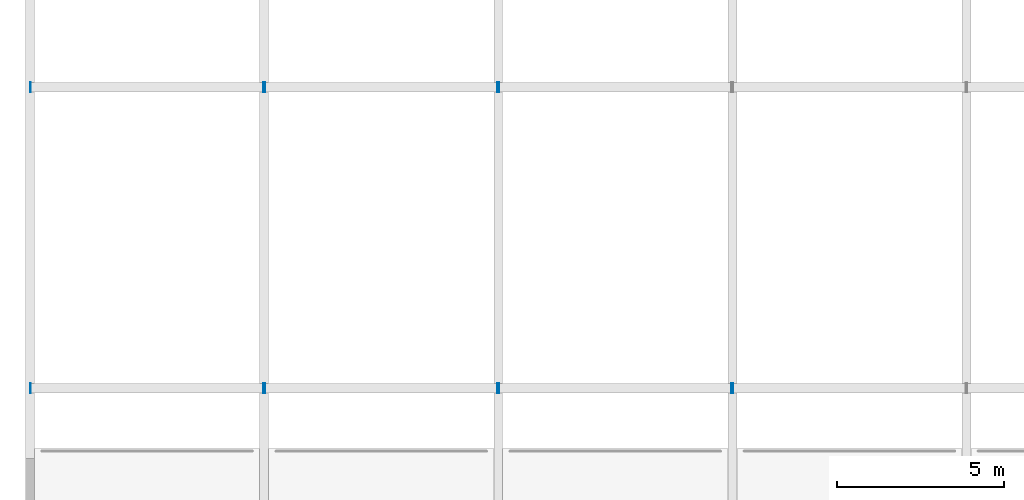
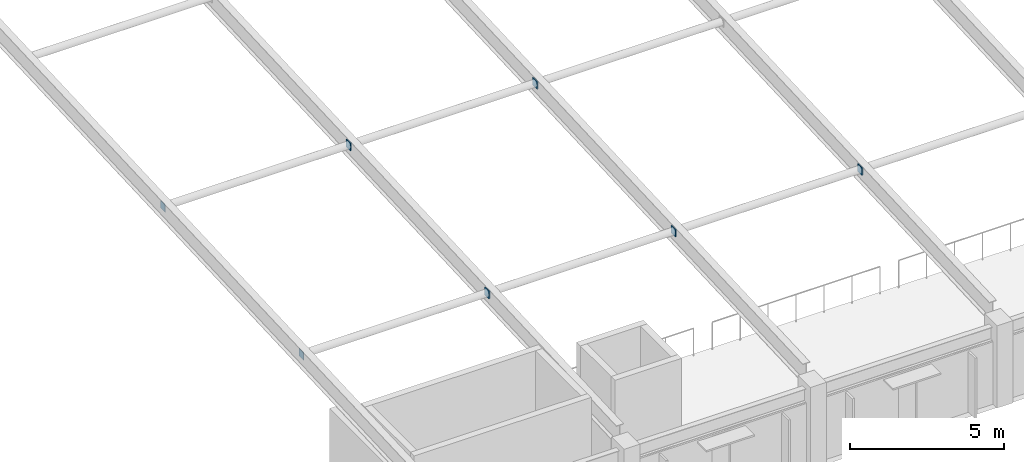
# One storey, part 77 of 150: 12 plates.
"""IFC4 building model written with IfcOpenShell, lengths in metres."""

from ifc_helpers import new_model, si_unit, direction, frame, origin, origin_2d, place, context, subcontext, project, spatial, rectangle, extrude, material, layer, layer_set, type_object, element, save


model = new_model("IFC4")

# Units and contexts
model_context = context("Model", 3, precision=1e-05, world=origin(), true_north=direction((0.0, 1.0)))
body_context = subcontext(model_context, "Body", "Model", "MODEL_VIEW")
ifc_project = project(units=[si_unit("LENGTHUNIT", "METRE"), si_unit("AREAUNIT", "SQUARE_METRE"), si_unit("VOLUMEUNIT", "CUBIC_METRE"), si_unit("PLANEANGLEUNIT", "RADIAN"), si_unit("MASSUNIT", "GRAM", prefix="KILO")], contexts=[model_context])

# Site, building, storey
site_placement = place(None, origin())
site = spatial("IfcSite", under=ifc_project, at=site_placement, CompositionType="ELEMENT")
building_placement = place(site_placement, origin())
building = spatial("IfcBuilding", under=site, at=building_placement, Name="Kestramere Prow Commons", CompositionType="ELEMENT")
storey_placement = place(building_placement, frame((0.0, 0.0, 4.5)))
storey = spatial("IfcBuildingStorey", under=building, at=storey_placement, Name="L01", CompositionType="ELEMENT", Elevation=4.5)

# Plates
ifc_material = material(Name="Steel S355JR", Category="steel")
ifc_layer = layer(ifc_material, 0.01611328125)
ifc_layer_set = layer_set([ifc_layer], Name="Steel S355JR")
plate_type = type_object("IfcPlateType", Name="PL-ENDCAP-16", PredefinedType="SHEET", material=ifc_layer_set)
for number, where, z_axis, x_axis, name in (
    (1, (2.219970703125, 16.5, 3.52880859375), (0.0, 0.0, 1.0), (1.0, 0.0, 0.0), "Tie Strut Cap Plate 1-1A"),
    (2, (9.179931640625, 16.5, 3.52880859375), (0.0, 0.0, 1.0), (1.0, 0.0, 0.0), "Tie Strut Cap Plate 1-1B"),
    (3, (2.219970703125, 25.5, 3.94140625), (0.0, 0.0, 1.0), (1.0, 0.0, 0.0), "Tie Strut Cap Plate 1-2A"),
    (4, (9.179931640625, 25.5, 3.94140625), (0.0, 0.0, 1.0), (1.0, 0.0, 0.0), "Tie Strut Cap Plate 1-2B"),
    (5, (9.219970703125, 16.5, 3.52880859375), (0.0, 0.0, 1.0), (1.0, 0.0, 0.0), "Tie Strut Cap Plate 2-1A"),
    (6, (16.179931640625, 16.5, 3.52880859375), (0.0, 0.0, 1.0), (1.0, 0.0, 0.0), "Tie Strut Cap Plate 2-1B"),
    (7, (9.219970703125, 25.5, 3.94140625), (0.0, 0.0, 1.0), (1.0, 0.0, 0.0), "Tie Strut Cap Plate 2-2A"),
    (8, (16.179931640625, 25.5, 3.94140625), (0.0, 0.0, 1.0), (1.0, 0.0, 0.0), "Tie Strut Cap Plate 2-2B"),
    (9, (16.219970703125, 16.5, 3.52880859375), (0.0, 0.0, 1.0), (1.0, 0.0, 0.0), "Tie Strut Cap Plate 3-1A"),
    (10, (23.179931640625, 16.5, 3.52880859375), (0.0, 0.0, 1.0), (1.0, 0.0, 0.0), "Tie Strut Cap Plate 3-1B"),
    (11, (16.219970703125, 25.5, 3.94140625), (0.0, 0.0, 1.0), (1.0, 0.0, 0.0), "Tie Strut Cap Plate 3-2A"),
    (12, (23.219970703125, 16.5, 3.52880859375), (0.0, 0.0, 1.0), (1.0, 0.0, 0.0), "Tie Strut Cap Plate 4-1A"),
):
    element("IfcPlate", number, at=place(storey_placement, frame(where, z_axis=z_axis, x_axis=x_axis)), inside=storey, type_object=plate_type, Name=name, PredefinedType="SHEET", context=body_context, shape_type="SweptSolid", body=[
        extrude(rectangle(XDim=0.01611328125, YDim=0.300048828125, at=origin_2d()), origin(), (0.0, 0.0, 1.0), 0.300048828125),
    ])

save(model, "model.ifc")
